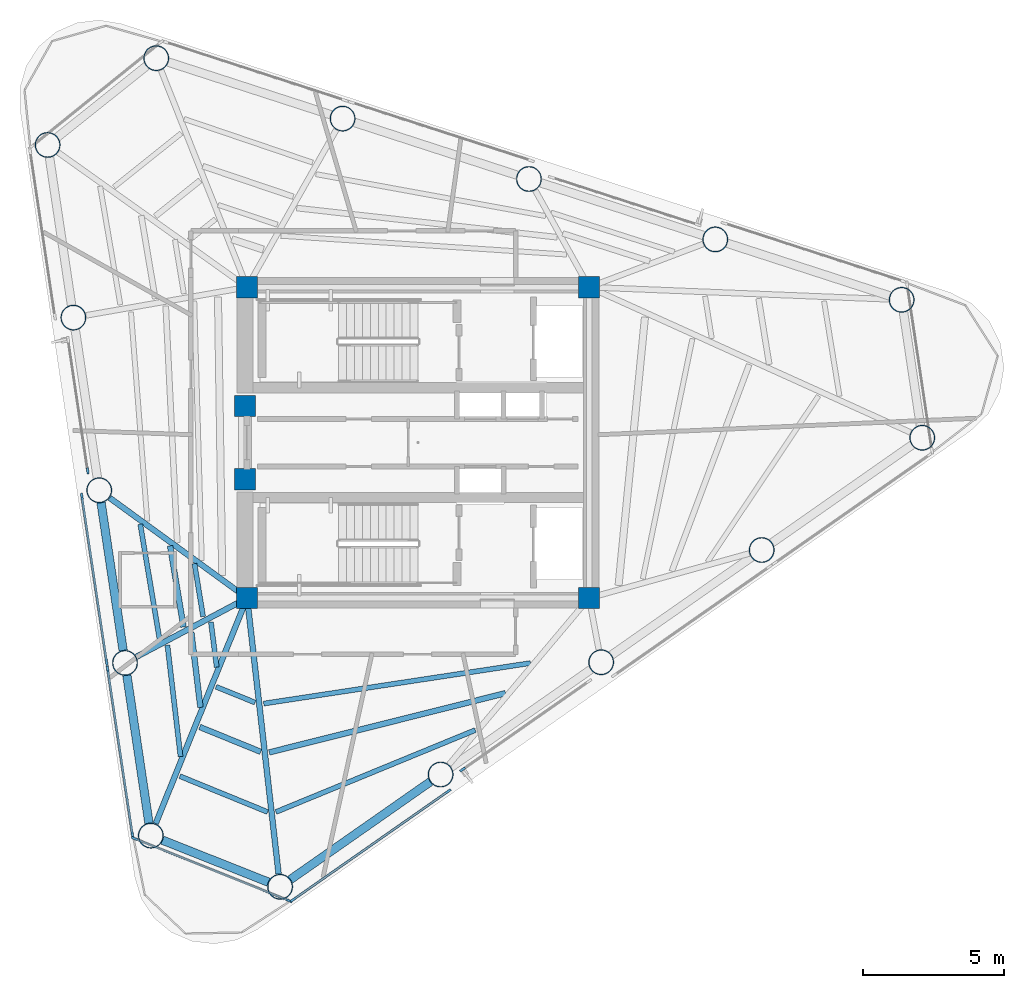
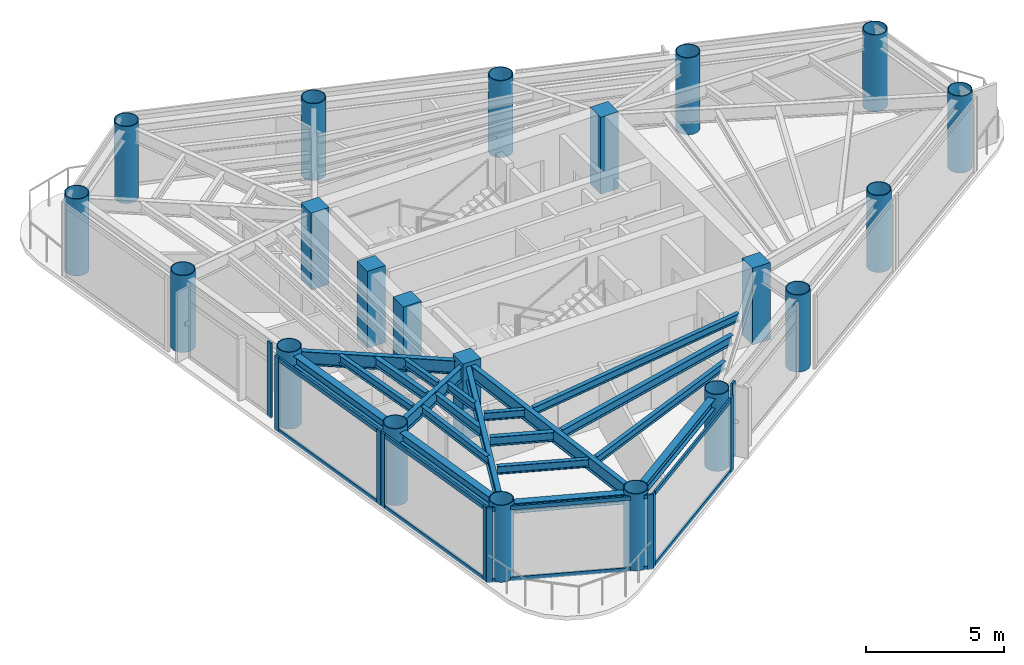
# One storey, part 1 of 9: 21 columns, 20 beams, 18 members, 6 elements without a shape of their own.
"""IFC4 building model written with IfcOpenShell, lengths in metres."""

from ifc_helpers import new_model, si_unit, direction, frame, origin, origin_2d, place, context, subcontext, project, spatial, rectangle, hollow_circle, i_section, extrude, source, transform, mapped, material, layer, layer_set, material_profile, profile_set, type_object, element, aggregate, save


model = new_model("IFC4")

# Units and contexts
model_context = context("Model", 3, precision=1e-05, world=origin(), true_north=direction((0.0, 1.0)))
body_context = subcontext(model_context, "Body", "Model", "MODEL_VIEW")
ifc_project = project(units=[si_unit("LENGTHUNIT", "METRE"), si_unit("AREAUNIT", "SQUARE_METRE"), si_unit("VOLUMEUNIT", "CUBIC_METRE"), si_unit("PLANEANGLEUNIT", "RADIAN"), si_unit("MASSUNIT", "GRAM", prefix="KILO")], contexts=[model_context])

# Site, building, storey
site_placement = place(None, origin())
site = spatial("IfcSite", under=ifc_project, at=site_placement, CompositionType="ELEMENT")
building_placement = place(site_placement, origin())
building = spatial("IfcBuilding", under=site, at=building_placement, Name="Yunling Apex Tower", CompositionType="ELEMENT")
storey_placement = place(building_placement, frame((0.0, 0.0, 260.949951171875)))
storey = spatial("IfcBuildingStorey", under=building, at=storey_placement, Name="L63", CompositionType="ELEMENT", Elevation=260.949951171875)

# Columns
ifc_material_1 = material(Name="Concrete C50", Category="concrete")
ifc_material_profile_1 = material_profile(ifc_material_1, rectangle(XDim=0.75, YDim=0.75, at=origin_2d()))
ifc_profile_set_1 = profile_set([ifc_material_profile_1], Name="Concrete C50")
column_type_1 = type_object("IfcColumnType", Name="PC-SRC-4", PredefinedType="COLUMN", material=ifc_profile_set_1)
shared_shape_1 = source(origin(), body_context, "Body", "SweptSolid", [
    extrude(rectangle(XDim=0.75, YDim=0.75, at=origin_2d()), origin(), (0.0, 0.0, 1.0), 3.400146484375),
])
for number, where, z_axis, x_axis, name in (
    (1, (-6.050048828125, -5.5, 0.0), (0.0, 0.0, 1.0), (1.0, 0.0, 0.0), "L63 Core Spine Column CC-SW"),
    (2, (6.050048828125, -5.5, 0.0), (0.0, 0.0, 1.0), (1.0, 0.0, 0.0), "L63 Core Spine Column CC-SE"),
    (3, (6.050048828125, 5.5, 0.0), (0.0, 0.0, 1.0), (1.0, 0.0, 0.0), "L63 Core Spine Column CC-NE"),
    (4, (-6.050048828125, 5.5, 0.0), (0.0, 0.0, 1.0), (1.0, 0.0, 0.0), "L63 Core Spine Column CC-NW"),
    (5, (-6.125, -1.300048828125, 0.0), (0.0, 0.0, 1.0), (1.0, 0.0, 0.0), "L63 Core West Portal Jamb Column S"),
    (6, (-6.125, 1.300048828125, 0.0), (0.0, 0.0, 1.0), (1.0, 0.0, 0.0), "L63 Core West Portal Jamb Column N"),
):
    element("IfcColumn", number, at=place(storey_placement, frame(where, z_axis=z_axis, x_axis=x_axis)), inside=storey, type_object=column_type_1, Name=name, PredefinedType="COLUMN", context=body_context, shape_type="MappedRepresentation", body=[
        mapped(shared_shape_1, transform((0.0, 0.0, 0.0), scale=1.0)),
    ])
ifc_material_2 = material(Name="Steel Q355B", Category="steel")
ifc_material_profile_2 = material_profile(ifc_material_2, hollow_circle(Radius=0.449951171875, WallThickness=0.031982421875, at=origin_2d()))
ifc_profile_set_2 = profile_set([ifc_material_profile_2], Name="Steel Q355B")
column_type_2 = type_object("IfcColumnType", Name="MC-CFST-6", PredefinedType="COLUMN", material=ifc_profile_set_2)
shared_shape_2 = source(origin(), body_context, "Body", "SweptSolid", [
    extrude(hollow_circle(Radius=0.449951171875, WallThickness=0.031982421875, at=origin_2d()), origin(), (0.0, 0.0, 1.0), 3.400146484375),
])
for number, where, z_axis, x_axis, name in (
    (7, (-4.8837890625, -15.716796875, 0.0), (0.0, 0.0, 1.0), (1.0, 0.0, 0.0), "L63 Perimeter CFST Mega-Column P01"),
    (8, (0.797119140625, -11.744873046875, 0.0), (0.0, 0.0, 1.0), (1.0, 0.0, 0.0), "L63 Perimeter CFST Mega-Column P02"),
    (9, (6.47802734375, -7.77294921875, 0.0), (0.0, 0.0, 1.0), (1.0, 0.0, 0.0), "L63 Perimeter CFST Mega-Column P03"),
    (10, (12.15869140625, -3.801025390625, 0.0), (0.0, 0.0, 1.0), (1.0, 0.0, 0.0), "L63 Perimeter CFST Mega-Column P04"),
    (11, (17.839599609375, 0.1708984375, 0.0), (0.0, 0.0, 1.0), (1.0, 0.0, 0.0), "L63 Perimeter CFST Mega-Column P05"),
    (12, (17.110107421875, 5.052490234375, 0.0), (0.0, 0.0, 1.0), (1.0, 0.0, 0.0), "L63 Perimeter CFST Mega-Column P06"),
    (13, (10.51611328125, 7.18994140625, 0.0), (0.0, 0.0, 1.0), (1.0, 0.0, 0.0), "L63 Perimeter CFST Mega-Column P07"),
    (14, (3.92236328125, 9.327392578125, 0.0), (0.0, 0.0, 1.0), (1.0, 0.0, 0.0), "L63 Perimeter CFST Mega-Column P08"),
    (15, (-2.671630859375, 11.46484375, 0.0), (0.0, 0.0, 1.0), (1.0, 0.0, 0.0), "L63 Perimeter CFST Mega-Column P09"),
    (16, (-9.265625, 13.602294921875, 0.0), (0.0, 0.0, 1.0), (1.0, 0.0, 0.0), "L63 Perimeter CFST Mega-Column P10"),
    (17, (-13.10986328125, 10.532470703125, 0.0), (0.0, 0.0, 1.0), (1.0, 0.0, 0.0), "L63 Perimeter CFST Mega-Column P11"),
    (18, (-12.19677734375, 4.423095703125, 0.0), (0.0, 0.0, 1.0), (1.0, 0.0, 0.0), "L63 Perimeter CFST Mega-Column P12"),
    (19, (-11.28369140625, -1.686279296875, 0.0), (0.0, 0.0, 1.0), (1.0, 0.0, 0.0), "L63 Perimeter CFST Mega-Column P13"),
    (20, (-10.37060546875, -7.7958984375, 0.0), (0.0, 0.0, 1.0), (1.0, 0.0, 0.0), "L63 Perimeter CFST Mega-Column P14"),
    (21, (-9.45751953125, -13.9052734375, 0.0), (0.0, 0.0, 1.0), (1.0, 0.0, 0.0), "L63 Perimeter CFST Mega-Column P15"),
):
    element("IfcColumn", number, at=place(storey_placement, frame(where, z_axis=z_axis, x_axis=x_axis)), inside=storey, type_object=column_type_2, Name=name, PredefinedType="COLUMN", context=body_context, shape_type="MappedRepresentation", body=[
        mapped(shared_shape_2, transform((0.0, 0.0, 0.0), scale=1.0)),
    ])

# Beams
ifc_material_profile_3 = material_profile(ifc_material_2, i_section(OverallWidth=0.300048828125, OverallDepth=0.43994140625, WebThickness=0.010986328125, FlangeThickness=0.01806640625, FilletRadius=0.02197265625, at=origin_2d()))
ifc_profile_set_3 = profile_set([ifc_material_profile_3], Name="Steel Q355B")
beam_type_1 = type_object("IfcBeamType", Name="BP-SPN-3", PredefinedType="SPANDREL", material=ifc_profile_set_3)
shared_shape_3 = source(origin(), body_context, "Body", "SweptSolid", [
    extrude(i_section(OverallWidth=0.300048828125, OverallDepth=0.43994140625, WebThickness=0.010986328125, FlangeThickness=0.01806640625, FilletRadius=0.02197265625, at=origin_2d()), origin(), (0.0, 0.0, 1.0), 6.043701171875),
])
beam_1_placement = place(storey_placement, frame((-4.52001953125, -15.46240234375, 3.0), z_axis=(0.819546828705, 0.5730122124, 0.0), x_axis=(-0.5730122124, 0.819546828705, 0.0)))
element("IfcBeam", 22, at=beam_1_placement, inside=storey, type_object=beam_type_1, Name="L63 Perimeter Spandrel Beam 1", PredefinedType="SPANDREL", context=body_context, shape_type="MappedRepresentation", body=[
    mapped(shared_shape_3, transform((0.0, 0.0, 0.0), scale=1.0)),
])
shared_shape_4 = source(origin(), body_context, "Body", "SweptSolid", [
    extrude(i_section(OverallWidth=0.300048828125, OverallDepth=0.43994140625, WebThickness=0.010986328125, FlangeThickness=0.01806640625, FilletRadius=0.02197265625, at=origin_2d()), origin(), (0.0, 0.0, 1.0), 5.289306640625),
])
for number, where, z_axis, x_axis, name in (
    (23, (-11.218017578125, -2.12548828125, 3.0), (0.147796471114, -0.989017797174, 0.0), (0.989017797174, 0.147796471114, 0.0), "L63 Perimeter Spandrel Beam 13"),
    (24, (-10.304931640625, -8.23486328125, 3.0), (0.147796471114, -0.989017797174, 0.0), (0.989017797174, 0.147796471114, 0.0), "L63 Perimeter Spandrel Beam 14"),
):
    element("IfcBeam", number, at=place(storey_placement, frame(where, z_axis=z_axis, x_axis=x_axis)), inside=storey, type_object=beam_type_1, Name=name, PredefinedType="SPANDREL", context=body_context, shape_type="MappedRepresentation", body=[
        mapped(shared_shape_4, transform((0.0, 0.0, 0.0), scale=1.0)),
    ])
shared_shape_5 = source(origin(), body_context, "Body", "SweptSolid", [
    extrude(i_section(OverallWidth=0.300048828125, OverallDepth=0.43994140625, WebThickness=0.010986328125, FlangeThickness=0.01806640625, FilletRadius=0.02197265625, at=origin_2d()), origin(), (0.0, 0.0, 1.0), 4.03173828125),
])
beam_2_placement = place(storey_placement, frame((-9.044921875, -14.068603515625, 3.0), z_axis=(0.92970771396, -0.368298203368, 0.0), x_axis=(0.368298203368, 0.92970771396, 0.0)))
element("IfcBeam", 25, at=beam_2_placement, inside=storey, type_object=beam_type_1, Name="L63 Perimeter Spandrel Beam 15", PredefinedType="SPANDREL", context=body_context, shape_type="MappedRepresentation", body=[
    mapped(shared_shape_5, transform((0.0, 0.0, 0.0), scale=1.0)),
])
ifc_material_profile_4 = material_profile(ifc_material_2, i_section(OverallWidth=0.199951171875, OverallDepth=0.60009765625, WebThickness=0.010986328125, FlangeThickness=0.01708984375, FilletRadius=0.02197265625, at=origin_2d()))
ifc_profile_set_4 = profile_set([ifc_material_profile_4], Name="Steel Q355B")
beam_type_2 = type_object("IfcBeamType", Name="BG-PRI-5", PredefinedType="USERDEFINED", material=ifc_profile_set_4)
shared_shape_6 = source(origin(), body_context, "Body", "SweptSolid", [
    extrude(i_section(OverallWidth=0.199951171875, OverallDepth=0.60009765625, WebThickness=0.010986328125, FlangeThickness=0.01708984375, FilletRadius=0.02197265625, at=origin_2d()), origin(), (0.0, 0.0, 1.0), 9.745361328125),
])
beam_3_placement = place(storey_placement, frame((-4.935791015625, -15.261962890625, 2.920166015625), z_axis=(-0.11341163891, 0.993548086486, 0.0), x_axis=(-0.993548086486, -0.11341163891, 0.0)))
element("IfcBeam", 26, at=beam_3_placement, inside=storey, type_object=beam_type_2, Name="L63 Radial Primary Girder R01", ObjectType="GIRDER", PredefinedType="USERDEFINED", context=body_context, shape_type="MappedRepresentation", body=[
    mapped(shared_shape_6, transform((0.0, 0.0, 0.0), scale=1.0)),
])
shared_shape_7 = source(origin(), body_context, "Body", "SweptSolid", [
    extrude(i_section(OverallWidth=0.199951171875, OverallDepth=0.60009765625, WebThickness=0.010986328125, FlangeThickness=0.01708984375, FilletRadius=0.02197265625, at=origin_2d()), origin(), (0.0, 0.0, 1.0), 5.937744140625),
])
beam_4_placement = place(storey_placement, frame((-10.91357421875, -1.9560546875, 2.920166015625), z_axis=(0.808193442209, -0.588917107894, 0.0), x_axis=(0.588917107894, 0.808193442209, 0.0)))
element("IfcBeam", 27, at=beam_4_placement, inside=storey, type_object=beam_type_2, Name="L63 Radial Primary Girder R13", ObjectType="GIRDER", PredefinedType="USERDEFINED", context=body_context, shape_type="MappedRepresentation", body=[
    mapped(shared_shape_7, transform((0.0, 0.0, 0.0), scale=1.0)),
])
shared_shape_8 = source(origin(), body_context, "Body", "SweptSolid", [
    extrude(i_section(OverallWidth=0.199951171875, OverallDepth=0.60009765625, WebThickness=0.010986328125, FlangeThickness=0.01708984375, FilletRadius=0.02197265625, at=origin_2d()), origin(), (0.0, 0.0, 1.0), 4.354736328125),
])
beam_5_placement = place(storey_placement, frame((-9.96630859375, -7.580810546875, 2.920166015625), z_axis=(0.883098298021, 0.469188017784, 0.0), x_axis=(-0.469188017784, 0.883098298021, 0.0)))
element("IfcBeam", 28, at=beam_5_placement, inside=storey, type_object=beam_type_2, Name="L63 Radial Primary Girder R14", ObjectType="GIRDER", PredefinedType="USERDEFINED", context=body_context, shape_type="MappedRepresentation", body=[
    mapped(shared_shape_8, transform((0.0, 0.0, 0.0), scale=1.0)),
])
shared_shape_9 = source(origin(), body_context, "Body", "SweptSolid", [
    extrude(i_section(OverallWidth=0.199951171875, OverallDepth=0.60009765625, WebThickness=0.010986328125, FlangeThickness=0.01708984375, FilletRadius=0.02197265625, at=origin_2d()), origin(), (0.0, 0.0, 1.0), 8.531494140625),
])
beam_6_placement = place(storey_placement, frame((-9.285400390625, -13.480712890625, 2.920166015625), z_axis=(0.375703780252, 0.926739806798, 0.0), x_axis=(-0.926739806798, 0.375703780252, 0.0)))
element("IfcBeam", 29, at=beam_6_placement, inside=storey, type_object=beam_type_2, Name="L63 Radial Primary Girder R15", ObjectType="GIRDER", PredefinedType="USERDEFINED", context=body_context, shape_type="MappedRepresentation", body=[
    mapped(shared_shape_9, transform((0.0, 0.0, 0.0), scale=1.0)),
])
ifc_material_profile_5 = material_profile(ifc_material_2, i_section(OverallWidth=0.199951171875, OverallDepth=0.39990234375, WebThickness=0.008056640625, FlangeThickness=0.012939453125, FilletRadius=0.01611328125, at=origin_2d()))
ifc_profile_set_5 = profile_set([ifc_material_profile_5], Name="Steel Q355B")
beam_type_3 = type_object("IfcBeamType", Name="BS-SEC-4", PredefinedType="BEAM", material=ifc_profile_set_5)
shared_shape_10 = source(origin(), body_context, "Body", "SweptSolid", [
    extrude(i_section(OverallWidth=0.199951171875, OverallDepth=0.39990234375, WebThickness=0.008056640625, FlangeThickness=0.012939453125, FilletRadius=0.01611328125, at=origin_2d()), origin(), (0.0, 0.0, 1.0), 8.62109375),
])
beam_7_placement = place(storey_placement, frame((-5.266845703125, -10.962646484375, 3.02001953125), z_axis=(0.96999740229, 0.243115280374, 0.0), x_axis=(-0.243115280374, 0.96999740229, 0.0)))
element("IfcBeam", 30, at=beam_7_placement, inside=storey, type_object=beam_type_3, Name="L63 Composite Floor Beam BS-1", PredefinedType="BEAM", context=body_context, shape_type="MappedRepresentation", body=[
    mapped(shared_shape_10, transform((0.0, 0.0, 0.0), scale=1.0)),
])
ifc_material_profile_6 = material_profile(ifc_material_2, i_section(OverallWidth=0.175048828125, OverallDepth=0.35009765625, WebThickness=0.007080078125, FlangeThickness=0.010986328125, FilletRadius=0.013916015625, at=origin_2d()))
ifc_profile_set_6 = profile_set([ifc_material_profile_6], Name="Steel Q355B")
beam_type_4 = type_object("IfcBeamType", Name="BJ-JST-1", PredefinedType="JOIST", material=ifc_profile_set_6)
shared_shape_11 = source(origin(), body_context, "Body", "SweptSolid", [
    extrude(i_section(OverallWidth=0.175048828125, OverallDepth=0.35009765625, WebThickness=0.007080078125, FlangeThickness=0.010986328125, FilletRadius=0.013916015625, at=origin_2d()), origin(), (0.0, 0.0, 1.0), 7.626953125),
])
beam_8_placement = place(storey_placement, frame((-5.031005859375, -13.071044921875, 3.045166015625), z_axis=(0.924936429691, 0.380121823934, 0.0), x_axis=(-0.380121823934, 0.924936429691, 0.0)))
element("IfcBeam", 31, at=beam_8_placement, inside=storey, type_object=beam_type_4, Name="L63 Composite Floor Joist BJ1-1", PredefinedType="JOIST", context=body_context, shape_type="MappedRepresentation", body=[
    mapped(shared_shape_11, transform((0.0, 0.0, 0.0), scale=1.0)),
])
shared_shape_12 = source(origin(), body_context, "Body", "SweptSolid", [
    extrude(i_section(OverallWidth=0.175048828125, OverallDepth=0.35009765625, WebThickness=0.007080078125, FlangeThickness=0.010986328125, FilletRadius=0.013916015625, at=origin_2d()), origin(), (0.0, 0.0, 1.0), 9.546630859375),
])
beam_9_placement = place(storey_placement, frame((-5.462646484375, -9.23486328125, 3.045166015625), z_axis=(0.988668394837, 0.150115972004, 0.0), x_axis=(-0.150115972004, 0.988668394837, 0.0)))
element("IfcBeam", 32, at=beam_9_placement, inside=storey, type_object=beam_type_4, Name="L63 Composite Floor Joist BJ3-1", PredefinedType="JOIST", context=body_context, shape_type="MappedRepresentation", body=[
    mapped(shared_shape_12, transform((0.0, 0.0, 0.0), scale=1.0)),
])
shared_shape_13 = source(origin(), body_context, "Body", "SweptSolid", [
    extrude(i_section(OverallWidth=0.199951171875, OverallDepth=0.39990234375, WebThickness=0.008056640625, FlangeThickness=0.012939453125, FilletRadius=0.01611328125, at=origin_2d()), origin(), (0.0, 0.0, 1.0), 2.910400390625),
])
beam_10_placement = place(storey_placement, frame((-8.77587890625, -3.652587890625, 3.02001953125), z_axis=(0.163405899616, -0.986558924733, 0.0), x_axis=(0.986558924733, 0.163405899616, 0.0)))
element("IfcBeam", 33, at=beam_10_placement, inside=storey, type_object=beam_type_3, Name="L63 Composite Floor Beam BS-13", PredefinedType="BEAM", context=body_context, shape_type="MappedRepresentation", body=[
    mapped(shared_shape_13, transform((0.0, 0.0, 0.0), scale=1.0)),
])
shared_shape_14 = source(origin(), body_context, "Body", "SweptSolid", [
    extrude(i_section(OverallWidth=0.175048828125, OverallDepth=0.35009765625, WebThickness=0.007080078125, FlangeThickness=0.010986328125, FilletRadius=0.013916015625, at=origin_2d()), origin(), (0.0, 0.0, 1.0), 4.14697265625),
])
beam_11_placement = place(storey_placement, frame((-9.831298828125, -2.88330078125, 3.045166015625), z_axis=(0.165134037528, -0.986271133943, 0.0), x_axis=(0.986271133943, 0.165134037528, 0.0)))
element("IfcBeam", 34, at=beam_11_placement, inside=storey, type_object=beam_type_4, Name="L63 Composite Floor Joist BJ1-13", PredefinedType="JOIST", context=body_context, shape_type="MappedRepresentation", body=[
    mapped(shared_shape_14, transform((0.0, 0.0, 0.0), scale=1.0)),
])
shared_shape_15 = source(origin(), body_context, "Body", "SweptSolid", [
    extrude(i_section(OverallWidth=0.175048828125, OverallDepth=0.35009765625, WebThickness=0.007080078125, FlangeThickness=0.010986328125, FilletRadius=0.013916015625, at=origin_2d()), origin(), (0.0, 0.0, 1.0), 1.898681640625),
])
beam_12_placement = place(storey_placement, frame((-7.91259765625, -4.281982421875, 3.045166015625), z_axis=(0.160602772894, -0.987019123087, 0.0), x_axis=(0.987019123087, 0.160602772894, 0.0)))
element("IfcBeam", 35, at=beam_12_placement, inside=storey, type_object=beam_type_4, Name="L63 Composite Floor Joist BJ3-13", PredefinedType="JOIST", context=body_context, shape_type="MappedRepresentation", body=[
    mapped(shared_shape_15, transform((0.0, 0.0, 0.0), scale=1.0)),
])
shared_shape_16 = source(origin(), body_context, "Body", "SweptSolid", [
    extrude(i_section(OverallWidth=0.199951171875, OverallDepth=0.39990234375, WebThickness=0.008056640625, FlangeThickness=0.012939453125, FilletRadius=0.01611328125, at=origin_2d()), origin(), (0.0, 0.0, 1.0), 2.670166015625),
])
beam_13_placement = place(storey_placement, frame((-8.024169921875, -6.718017578125, 3.02001953125), z_axis=(0.12060169382, -0.992700977862, 0.0), x_axis=(0.992700977862, 0.12060169382, 0.0)))
element("IfcBeam", 36, at=beam_13_placement, inside=storey, type_object=beam_type_3, Name="L63 Composite Floor Beam BS-14", PredefinedType="BEAM", context=body_context, shape_type="MappedRepresentation", body=[
    mapped(shared_shape_16, transform((0.0, 0.0, 0.0), scale=1.0)),
])
shared_shape_17 = source(origin(), body_context, "Body", "SweptSolid", [
    extrude(i_section(OverallWidth=0.175048828125, OverallDepth=0.35009765625, WebThickness=0.007080078125, FlangeThickness=0.010986328125, FilletRadius=0.013916015625, at=origin_2d()), origin(), (0.0, 0.0, 1.0), 3.96728515625),
])
beam_14_placement = place(storey_placement, frame((-8.87060546875, -7.167724609375, 3.045166015625), z_axis=(0.116919795798, -0.993141360205, 0.0), x_axis=(0.993141360205, 0.116919795798, 0.0)))
element("IfcBeam", 37, at=beam_14_placement, inside=storey, type_object=beam_type_4, Name="L63 Composite Floor Joist BJ1-14", PredefinedType="JOIST", context=body_context, shape_type="MappedRepresentation", body=[
    mapped(shared_shape_17, transform((0.0, 0.0, 0.0), scale=1.0)),
])
shared_shape_18 = source(origin(), body_context, "Body", "SweptSolid", [
    extrude(i_section(OverallWidth=0.175048828125, OverallDepth=0.35009765625, WebThickness=0.007080078125, FlangeThickness=0.010986328125, FilletRadius=0.013916015625, at=origin_2d()), origin(), (0.0, 0.0, 1.0), 1.608642578125),
])
beam_15_placement = place(storey_placement, frame((-7.330810546875, -6.35009765625, 3.045166015625), z_axis=(0.12719111786, -0.99187822818, 0.0), x_axis=(0.99187822818, 0.12719111786, 0.0)))
element("IfcBeam", 38, at=beam_15_placement, inside=storey, type_object=beam_type_4, Name="L63 Composite Floor Joist BJ3-14", PredefinedType="JOIST", context=body_context, shape_type="MappedRepresentation", body=[
    mapped(shared_shape_18, transform((0.0, 0.0, 0.0), scale=1.0)),
])
shared_shape_19 = source(origin(), body_context, "Body", "SweptSolid", [
    extrude(i_section(OverallWidth=0.199951171875, OverallDepth=0.39990234375, WebThickness=0.008056640625, FlangeThickness=0.012939453125, FilletRadius=0.01611328125, at=origin_2d()), origin(), (0.0, 0.0, 1.0), 2.3291015625),
])
beam_16_placement = place(storey_placement, frame((-7.72705078125, -10.062255859375, 3.02001953125), z_axis=(0.926020445617, -0.377473355747, 0.0), x_axis=(0.377473355747, 0.926020445617, 0.0)))
element("IfcBeam", 39, at=beam_16_placement, inside=storey, type_object=beam_type_3, Name="L63 Composite Floor Beam BS-15", PredefinedType="BEAM", context=body_context, shape_type="MappedRepresentation", body=[
    mapped(shared_shape_19, transform((0.0, 0.0, 0.0), scale=1.0)),
])
shared_shape_20 = source(origin(), body_context, "Body", "SweptSolid", [
    extrude(i_section(OverallWidth=0.175048828125, OverallDepth=0.35009765625, WebThickness=0.007080078125, FlangeThickness=0.010986328125, FilletRadius=0.013916015625, at=origin_2d()), origin(), (0.0, 0.0, 1.0), 3.354736328125),
])
beam_17_placement = place(storey_placement, frame((-8.43212890625, -11.802001953125, 3.045166015625), z_axis=(0.925654732165, -0.378369286306, 0.0), x_axis=(0.378369286306, 0.925654732165, 0.0)))
element("IfcBeam", 40, at=beam_17_placement, inside=storey, type_object=beam_type_4, Name="L63 Composite Floor Joist BJ1-15", PredefinedType="JOIST", context=body_context, shape_type="MappedRepresentation", body=[
    mapped(shared_shape_20, transform((0.0, 0.0, 0.0), scale=1.0)),
])
shared_shape_21 = source(origin(), body_context, "Body", "SweptSolid", [
    extrude(i_section(OverallWidth=0.175048828125, OverallDepth=0.35009765625, WebThickness=0.007080078125, FlangeThickness=0.010986328125, FilletRadius=0.013916015625, at=origin_2d()), origin(), (0.0, 0.0, 1.0), 1.48974609375),
])
beam_18_placement = place(storey_placement, frame((-7.14990234375, -8.638916015625, 3.045166015625), z_axis=(0.926714592409, -0.375765970008, 0.0), x_axis=(0.375765970008, 0.926714592409, 0.0)))
element("IfcBeam", 41, at=beam_18_placement, inside=storey, type_object=beam_type_4, Name="L63 Composite Floor Joist BJ3-15", PredefinedType="JOIST", context=body_context, shape_type="MappedRepresentation", body=[
    mapped(shared_shape_21, transform((0.0, 0.0, 0.0), scale=1.0)),
])

# Curtain wall, members
ifc_material_3 = material(Name="Bronze anodised aluminium", Category="aluminium")
ifc_layer = layer(ifc_material_3, 0.219970703125)
ifc_layer_set = layer_set([ifc_layer], Name="Bronze anodised aluminium")
curtain_wall_type = type_object("IfcCurtainWallType", Name="CW-SYS-4", PredefinedType="NOTDEFINED", material=ifc_layer_set)
curtain_wall_1_placement = place(storey_placement, origin())
curtain_wall_1 = element("IfcCurtainWall", 42, at=curtain_wall_1_placement, inside=storey, type_object=curtain_wall_type, Name="CW-L63-F1-B1", PredefinedType="NOTDEFINED")
ifc_material_profile_7 = material_profile(ifc_material_3, rectangle(XDim=0.080078125, YDim=0.219970703125, at=origin_2d()))
ifc_profile_set_7 = profile_set([ifc_material_profile_7], Name="Bronze anodised aluminium")
member_type_1 = type_object("IfcMemberType", Name="CW-MUL-4", PredefinedType="MULLION", material=ifc_profile_set_7)
shared_shape_22 = source(origin(), body_context, "Body", "SweptSolid", [
    extrude(rectangle(XDim=0.080078125, YDim=0.219970703125, at=origin_2d()), origin(), (0.0, 0.0, 1.0), 3.320068359375),
])
member_1_placement = place(storey_placement, frame((-4.418701171875, -16.172607421875, -0.050048828125), z_axis=(0.0, 0.0, 1.0), x_axis=(-0.573000403744, 0.819555084976, 0.0)))
member_1 = element("IfcMember", 43, at=member_1_placement, type_object=member_type_1, Name="CW-SYS-4 mullion 1", PredefinedType="MULLION", context=body_context, shape_type="MappedRepresentation", body=[
    mapped(shared_shape_22, transform((0.0, 0.0, 0.0), scale=1.0)),
])
member_2_placement = place(storey_placement, frame((1.0654296875, -12.338134765625, -0.050048828125), z_axis=(0.0, 0.0, 1.0), x_axis=(-0.573000403744, 0.819555084976, 0.0)))
member_2 = element("IfcMember", 44, at=member_2_placement, type_object=member_type_1, Name="CW-SYS-4 mullion 2", PredefinedType="MULLION", context=body_context, shape_type="MappedRepresentation", body=[
    mapped(shared_shape_22, transform((0.0, 0.0, 0.0), scale=1.0)),
])

# Curtain wall, member
curtain_wall_2_placement = place(storey_placement, origin())
curtain_wall_2 = element("IfcCurtainWall", 45, at=curtain_wall_2_placement, inside=storey, type_object=curtain_wall_type, Name="CW-L63-F1-B2", PredefinedType="NOTDEFINED")
member_3_placement = place(storey_placement, frame((1.575439453125, -11.56689453125, -0.050048828125), z_axis=(0.0, 0.0, 1.0), x_axis=(-0.57299879219, 0.819556211708, 0.0)))
member_3 = element("IfcMember", 46, at=member_3_placement, type_object=member_type_1, Name="CW-SYS-4 mullion 1", PredefinedType="MULLION", context=body_context, shape_type="MappedRepresentation", body=[
    mapped(shared_shape_22, transform((0.0, 0.0, 0.0), scale=1.0)),
])
aggregate(curtain_wall_2, [member_3])

curtain_wall_3_placement = place(storey_placement, origin())
curtain_wall_3 = element("IfcCurtainWall", 47, at=curtain_wall_3_placement, inside=storey, type_object=curtain_wall_type, Name="CW-L63-F3-B2", PredefinedType="NOTDEFINED")
member_4_placement = place(storey_placement, frame((-11.689697265625, -0.998779296875, -0.050048828125), z_axis=(0.0, 0.0, 1.0), x_axis=(0.989016661745, 0.147804068926, 0.0)))
member_4 = element("IfcMember", 48, at=member_4_placement, type_object=member_type_1, Name="CW-SYS-4 mullion 2", PredefinedType="MULLION", context=body_context, shape_type="MappedRepresentation", body=[
    mapped(shared_shape_22, transform((0.0, 0.0, 0.0), scale=1.0)),
])
aggregate(curtain_wall_3, [member_4])

# Curtain wall, members
curtain_wall_4_placement = place(storey_placement, origin())
curtain_wall_4 = element("IfcCurtainWall", 49, at=curtain_wall_4_placement, inside=storey, type_object=curtain_wall_type, Name="CW-L63-F3-B3", PredefinedType="NOTDEFINED")
member_5_placement = place(storey_placement, frame((-11.89892578125, -1.899658203125, -0.050048828125), z_axis=(0.0, 0.0, 1.0), x_axis=(0.989016174309, 0.147807330522, 0.0)))
member_5 = element("IfcMember", 50, at=member_5_placement, type_object=member_type_1, Name="CW-SYS-4 mullion 1", PredefinedType="MULLION", context=body_context, shape_type="MappedRepresentation", body=[
    mapped(shared_shape_22, transform((0.0, 0.0, 0.0), scale=1.0)),
])
member_6_placement = place(storey_placement, frame((-11.021240234375, -7.771728515625, -0.050048828125), z_axis=(0.0, 0.0, 1.0), x_axis=(0.989016174309, 0.147807330522, 0.0)))
member_6 = element("IfcMember", 51, at=member_6_placement, type_object=member_type_1, Name="CW-SYS-4 mullion 2", PredefinedType="MULLION", context=body_context, shape_type="MappedRepresentation", body=[
    mapped(shared_shape_22, transform((0.0, 0.0, 0.0), scale=1.0)),
])

curtain_wall_5_placement = place(storey_placement, origin())
curtain_wall_5 = element("IfcCurtainWall", 52, at=curtain_wall_5_placement, inside=storey, type_object=curtain_wall_type, Name="CW-L63-F3-B4", PredefinedType="NOTDEFINED")
member_7_placement = place(storey_placement, frame((-10.98583984375, -8.009033203125, -0.050048828125), z_axis=(0.0, 0.0, 1.0), x_axis=(0.989018603576, 0.147791074763, 0.0)))
member_7 = element("IfcMember", 53, at=member_7_placement, type_object=member_type_1, Name="CW-SYS-4 mullion 1", PredefinedType="MULLION", context=body_context, shape_type="MappedRepresentation", body=[
    mapped(shared_shape_22, transform((0.0, 0.0, 0.0), scale=1.0)),
])
member_8_placement = place(storey_placement, frame((-10.1083984375, -13.881103515625, -0.050048828125), z_axis=(0.0, 0.0, 1.0), x_axis=(0.989018603576, 0.147791074763, 0.0)))
member_8 = element("IfcMember", 54, at=member_8_placement, type_object=member_type_1, Name="CW-SYS-4 mullion 2", PredefinedType="MULLION", context=body_context, shape_type="MappedRepresentation", body=[
    mapped(shared_shape_22, transform((0.0, 0.0, 0.0), scale=1.0)),
])

curtain_wall_6_placement = place(storey_placement, origin())
curtain_wall_6 = element("IfcCurtainWall", 55, at=curtain_wall_6_placement, inside=storey, type_object=curtain_wall_type, Name="CW-L63-CRN3", PredefinedType="NOTDEFINED")
member_9_placement = place(storey_placement, frame((-10.03369140625, -14.01171875, -0.050048828125), z_axis=(0.0, 0.0, 1.0), x_axis=(0.373009384078, 0.927827569859, 0.0)))
member_9 = element("IfcMember", 56, at=member_9_placement, type_object=member_type_1, Name="CW-SYS-4 mullion 1", PredefinedType="MULLION", context=body_context, shape_type="MappedRepresentation", body=[
    mapped(shared_shape_22, transform((0.0, 0.0, 0.0), scale=1.0)),
])
member_10_placement = place(storey_placement, frame((-4.565673828125, -16.2099609375, -0.050048828125), z_axis=(0.0, 0.0, 1.0), x_axis=(0.373009384078, 0.927827569859, 0.0)))
member_10 = element("IfcMember", 57, at=member_10_placement, type_object=member_type_1, Name="CW-SYS-4 mullion 2", PredefinedType="MULLION", context=body_context, shape_type="MappedRepresentation", body=[
    mapped(shared_shape_22, transform((0.0, 0.0, 0.0), scale=1.0)),
])

# Member
ifc_material_profile_8 = material_profile(ifc_material_3, rectangle(XDim=0.080078125, YDim=0.169921875, at=origin_2d()))
ifc_profile_set_8 = profile_set([ifc_material_profile_8], Name="Bronze anodised aluminium")
member_type_2 = type_object("IfcMemberType", Name="CW-TRN-4", PredefinedType="USERDEFINED", material=ifc_profile_set_8)
shared_shape_23 = source(origin(), body_context, "Body", "SweptSolid", [
    extrude(rectangle(XDim=0.080078125, YDim=0.169921875, at=origin_2d()), origin(), (0.0, 0.0, 1.0), 6.61962890625),
])
member_11_placement = place(storey_placement, frame((-4.389404296875, -16.15185546875, 0.0400390625), z_axis=(0.819567916002, 0.572982051255, 0.0), x_axis=(-0.572982051255, 0.819567916002, 0.0)))
member_11 = element("IfcMember", 58, at=member_11_placement, type_object=member_type_2, Name="CW-SYS-4 transom 1.1", ObjectType="TRANSOM", PredefinedType="USERDEFINED", context=body_context, shape_type="MappedRepresentation", body=[
    mapped(shared_shape_23, transform((0.0, 0.0, 0.0), scale=1.0)),
])

member_12_placement = place(storey_placement, frame((-4.389404296875, -16.15185546875, 3.179931640625), z_axis=(0.819567916002, 0.572982051255, 0.0), x_axis=(-0.572982051255, 0.819567916002, 0.0)))
member_12 = element("IfcMember", 59, at=member_12_placement, type_object=member_type_2, Name="CW-SYS-4 transom 1.2", ObjectType="TRANSOM", PredefinedType="USERDEFINED", context=body_context, shape_type="MappedRepresentation", body=[
    mapped(shared_shape_23, transform((0.0, 0.0, 0.0), scale=1.0)),
])

aggregate(curtain_wall_1, [member_1, member_2, member_11, member_12])

shared_shape_24 = source(origin(), body_context, "Body", "SweptSolid", [
    extrude(rectangle(XDim=0.080078125, YDim=0.169921875, at=origin_2d()), origin(), (0.0, 0.0, 1.0), 5.8212890625),
])
member_13_placement = place(storey_placement, frame((-10.000244140625, -14.025146484375, 0.0400390625), z_axis=(0.927827385224, -0.373009843339, 0.0), x_axis=(0.373009843339, 0.927827385224, 0.0)))
member_13 = element("IfcMember", 60, at=member_13_placement, type_object=member_type_2, Name="CW-SYS-4 transom 1.1", ObjectType="TRANSOM", PredefinedType="USERDEFINED", context=body_context, shape_type="MappedRepresentation", body=[
    mapped(shared_shape_24, transform((0.0, 0.0, 0.0), scale=1.0)),
])

member_14_placement = place(storey_placement, frame((-10.000244140625, -14.025146484375, 3.179931640625), z_axis=(0.927827385224, -0.373009843339, 0.0), x_axis=(0.373009843339, 0.927827385224, 0.0)))
member_14 = element("IfcMember", 61, at=member_14_placement, type_object=member_type_2, Name="CW-SYS-4 transom 1.2", ObjectType="TRANSOM", PredefinedType="USERDEFINED", context=body_context, shape_type="MappedRepresentation", body=[
    mapped(shared_shape_24, transform((0.0, 0.0, 0.0), scale=1.0)),
])

aggregate(curtain_wall_6, [member_9, member_10, member_13, member_14])

shared_shape_25 = source(origin(), body_context, "Body", "SweptSolid", [
    extrude(rectangle(XDim=0.080078125, YDim=0.169921875, at=origin_2d()), origin(), (0.0, 0.0, 1.0), 5.865234375),
])
member_15_placement = place(storey_placement, frame((-11.8935546875, -1.935302734375, 0.0400390625), z_axis=(0.147811211092, -0.989015594354, 0.0), x_axis=(0.989015594354, 0.147811211092, 0.0)))
member_15 = element("IfcMember", 62, at=member_15_placement, type_object=member_type_2, Name="CW-SYS-4 transom 1.1", ObjectType="TRANSOM", PredefinedType="USERDEFINED", context=body_context, shape_type="MappedRepresentation", body=[
    mapped(shared_shape_25, transform((0.0, 0.0, 0.0), scale=1.0)),
])

member_16_placement = place(storey_placement, frame((-11.8935546875, -1.935302734375, 3.179931640625), z_axis=(0.147811211092, -0.989015594354, 0.0), x_axis=(0.989015594354, 0.147811211092, 0.0)))
member_16 = element("IfcMember", 63, at=member_16_placement, type_object=member_type_2, Name="CW-SYS-4 transom 1.2", ObjectType="TRANSOM", PredefinedType="USERDEFINED", context=body_context, shape_type="MappedRepresentation", body=[
    mapped(shared_shape_25, transform((0.0, 0.0, 0.0), scale=1.0)),
])

aggregate(curtain_wall_4, [member_5, member_6, member_15, member_16])

member_17_placement = place(storey_placement, frame((-10.98046875, -8.044677734375, 0.0400390625), z_axis=(0.147811211092, -0.989015594354, 0.0), x_axis=(0.989015594354, 0.147811211092, 0.0)))
member_17 = element("IfcMember", 64, at=member_17_placement, type_object=member_type_2, Name="CW-SYS-4 transom 1.1", ObjectType="TRANSOM", PredefinedType="USERDEFINED", context=body_context, shape_type="MappedRepresentation", body=[
    mapped(shared_shape_25, transform((0.0, 0.0, 0.0), scale=1.0)),
])

member_18_placement = place(storey_placement, frame((-10.98046875, -8.044677734375, 3.179931640625), z_axis=(0.147811211092, -0.989015594354, 0.0), x_axis=(0.989015594354, 0.147811211092, 0.0)))
member_18 = element("IfcMember", 65, at=member_18_placement, type_object=member_type_2, Name="CW-SYS-4 transom 1.2", ObjectType="TRANSOM", PredefinedType="USERDEFINED", context=body_context, shape_type="MappedRepresentation", body=[
    mapped(shared_shape_25, transform((0.0, 0.0, 0.0), scale=1.0)),
])

aggregate(curtain_wall_5, [member_7, member_8, member_17, member_18])

save(model, "model.ifc")
